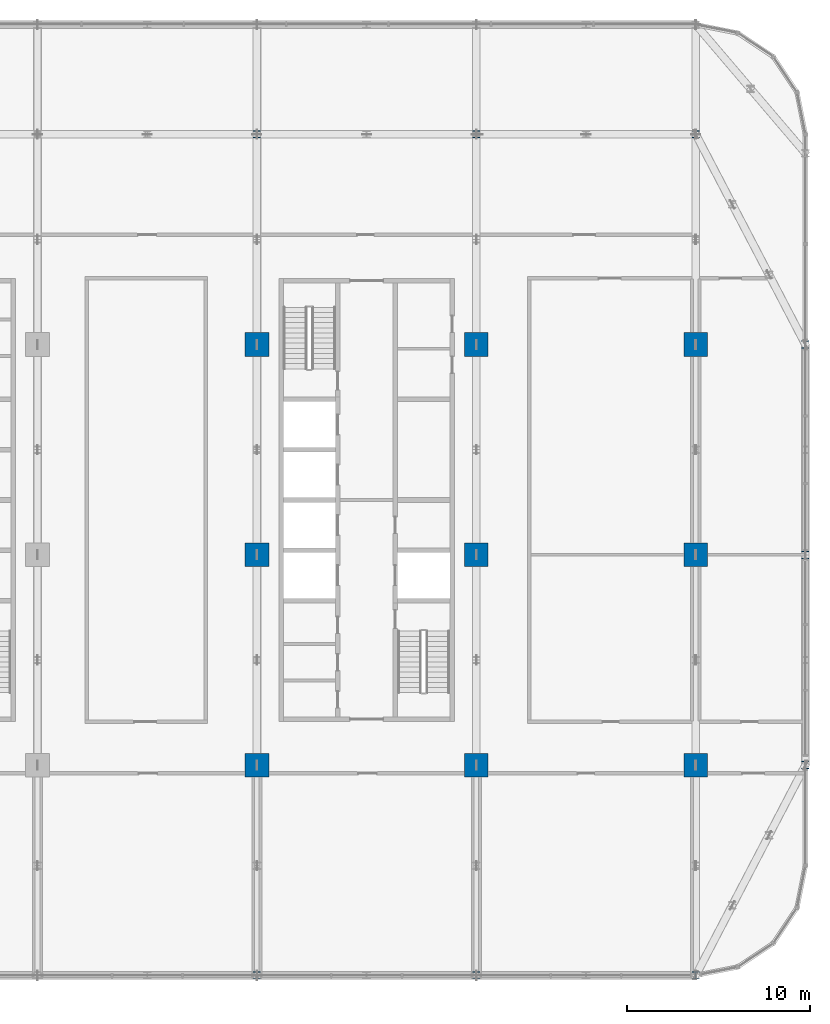
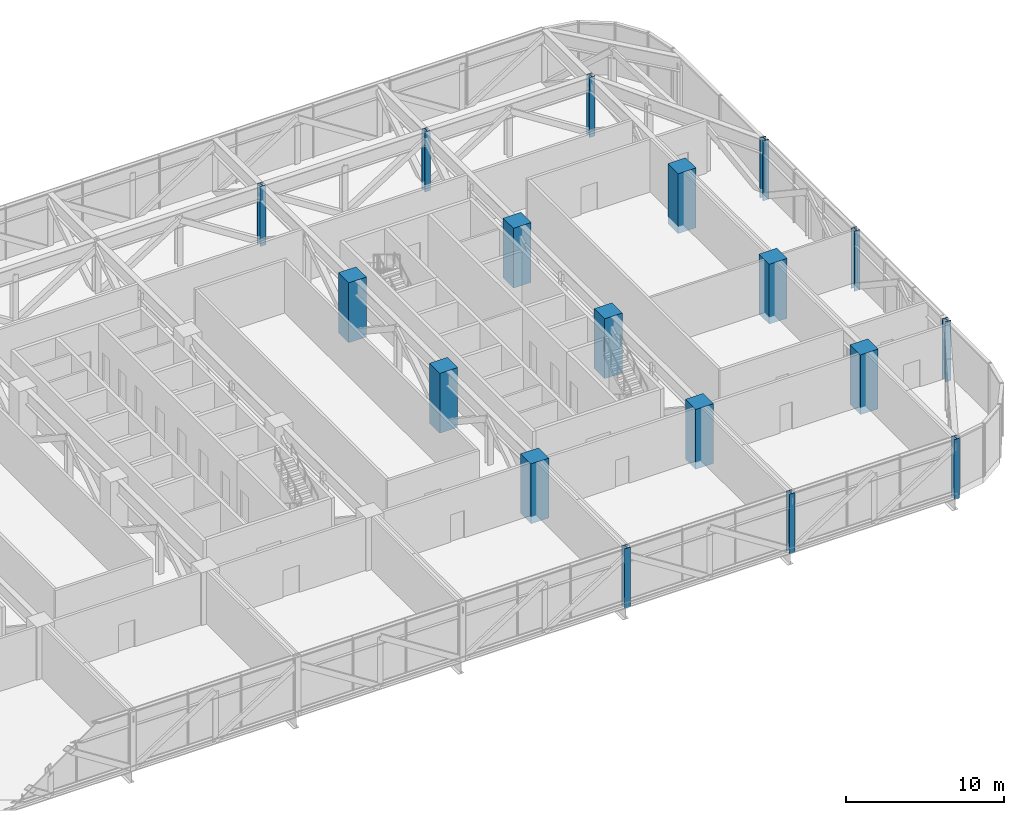
# One storey, part 2 of 30: 18 columns.
"""IFC4 building model written with IfcOpenShell, lengths in metres."""

from ifc_helpers import new_model, si_unit, direction, frame, origin, origin_2d, place, context, subcontext, project, spatial, rectangle, i_section, extrude, material, material_profile, profile_set, type_object, element, save


model = new_model("IFC4")

# Units and contexts
model_context = context("Model", 3, precision=1e-05, world=origin(), true_north=direction((0.0, 1.0)))
body_context = subcontext(model_context, "Body", "Model", "MODEL_VIEW")
ifc_project = project(units=[si_unit("LENGTHUNIT", "METRE"), si_unit("AREAUNIT", "SQUARE_METRE"), si_unit("VOLUMEUNIT", "CUBIC_METRE"), si_unit("PLANEANGLEUNIT", "RADIAN"), si_unit("MASSUNIT", "GRAM", prefix="KILO")], contexts=[model_context])

# Site, building, storey
site_placement = place(None, origin())
site = spatial("IfcSite", under=ifc_project, at=site_placement, CompositionType="ELEMENT")
building_placement = place(site_placement, origin())
building = spatial("IfcBuilding", under=site, at=building_placement, Name="Mahtab Terrace Research Tower", CompositionType="ELEMENT")
storey_placement = place(building_placement, frame((0.0, 0.0, 154.800048828125)))
storey = spatial("IfcBuildingStorey", under=building, at=storey_placement, Name="L36", CompositionType="ELEMENT", Elevation=154.800048828125)

# Columns
ifc_material_1 = material(Name="Concrete C70/85", Category="concrete")
ifc_material_profile_1 = material_profile(ifc_material_1, rectangle(XDim=1.300048828125, YDim=1.300048828125, at=origin_2d()), Name="RC column 1300x1300")
ifc_profile_set_1 = profile_set([ifc_material_profile_1], Name="Concrete C70/85")
column_type_1 = type_object("IfcColumnType", Name="RC column 1300x1300", PredefinedType="COLUMN", material=ifc_profile_set_1)
for number, where, z_axis, x_axis, name in (
    (1, (18.0, -11.5, -0.550048828125), (0.0, 0.0, 1.0), (1.0, 0.0, 0.0), "Column RC-6A L36"),
    (2, (18.0, 0.0, -0.550048828125), (0.0, 0.0, 1.0), (1.0, 0.0, 0.0), "Column RC-6B L36"),
    (3, (18.0, 11.5, -0.550048828125), (0.0, 0.0, 1.0), (1.0, 0.0, 0.0), "Column RC-6C L36"),
    (4, (30.0, -11.5, -0.550048828125), (0.0, 0.0, 1.0), (1.0, 0.0, 0.0), "Column RC-7A L36"),
    (5, (30.0, 0.0, -0.550048828125), (0.0, 0.0, 1.0), (1.0, 0.0, 0.0), "Column RC-7B L36"),
    (6, (30.0, 11.5, -0.550048828125), (0.0, 0.0, 1.0), (1.0, 0.0, 0.0), "Column RC-7C L36"),
    (7, (42.0, -11.5, -0.550048828125), (0.0, 0.0, 1.0), (1.0, 0.0, 0.0), "Column RC-8A L36"),
    (8, (42.0, 0.0, -0.550048828125), (0.0, 0.0, 1.0), (1.0, 0.0, 0.0), "Column RC-8B L36"),
    (9, (42.0, 11.5, -0.550048828125), (0.0, 0.0, 1.0), (1.0, 0.0, 0.0), "Column RC-8C L36"),
):
    element("IfcColumn", number, at=place(storey_placement, frame(where, z_axis=z_axis, x_axis=x_axis)), inside=storey, type_object=column_type_1, Name=name, PredefinedType="COLUMN", context=body_context, shape_type="SweptSolid", body=[
        extrude(rectangle(XDim=1.300048828125, YDim=1.300048828125, at=origin_2d()), origin(), (0.0, 0.0, 1.0), 4.610107421875),
    ])
ifc_material_2 = material(Name="Steel ASTM A992 Gr 50", Category="steel")
ifc_material_profile_2 = material_profile(ifc_material_2, i_section(OverallWidth=0.406494140625, OverallDepth=0.41650390625, WebThickness=0.030029296875, FlangeThickness=0.048095703125, at=origin_2d()), Name="W14X257")
ifc_profile_set_2 = profile_set([ifc_material_profile_2], Name="Steel ASTM A992 Gr 50")
column_type_2 = type_object("IfcColumnType", Name="W14x257 column CS14257", PredefinedType="COLUMN", material=ifc_profile_set_2)
for number, where, z_axis, x_axis, name in (
    (10, (42.0, 23.0, -0.550048828125), (0.0, 0.0, 1.0), (1.0, 0.0, 0.0), "Column SC-001 L36"),
    (11, (30.0, 23.0, -0.550048828125), (0.0, 0.0, 1.0), (1.0, 0.0, 0.0), "Column SC-002 L36"),
    (12, (18.0, 23.0, -0.550048828125), (0.0, 0.0, 1.0), (1.0, 0.0, 0.0), "Column SC-003 L36"),
    (13, (18.0, -23.0, -0.550048828125), (0.0, 0.0, 1.0), (1.0, 0.0, 0.0), "Column SC-017 L36"),
    (14, (30.0, -23.0, -0.550048828125), (0.0, 0.0, 1.0), (1.0, 0.0, 0.0), "Column SC-018 L36"),
    (15, (42.0, -23.0, -0.550048828125), (0.0, 0.0, 1.0), (1.0, 0.0, 0.0), "Column SC-019 L36"),
):
    element("IfcColumn", number, at=place(storey_placement, frame(where, z_axis=z_axis, x_axis=x_axis)), inside=storey, type_object=column_type_2, Name=name, PredefinedType="COLUMN", context=body_context, shape_type="SweptSolid", body=[
        extrude(i_section(OverallWidth=0.406494140625, OverallDepth=0.41650390625, WebThickness=0.030029296875, FlangeThickness=0.048095703125, at=origin_2d()), origin(), (0.0, 0.0, 1.0), 4.610107421875),
    ])
ifc_material_profile_3 = material_profile(ifc_material_2, i_section(OverallWidth=0.41162109375, OverallDepth=0.434326171875, WebThickness=0.035888671875, FlangeThickness=0.057373046875, at=origin_2d()), Name="W14X311")
ifc_profile_set_3 = profile_set([ifc_material_profile_3], Name="Steel ASTM A992 Gr 50")
column_type_3 = type_object("IfcColumnType", Name="W14x311 column CS14311", PredefinedType="COLUMN", material=ifc_profile_set_3)
for number, where, z_axis, x_axis, name in (
    (16, (48.0, -11.5, -0.550048828125), (0.0, 0.0, 1.0), (1.0, 0.0, 0.0), "Column SC-020 L36"),
    (17, (48.0, 0.0, -0.550048828125), (0.0, 0.0, 1.0), (1.0, 0.0, 0.0), "Column SC-021 L36"),
    (18, (48.0, 11.5, -0.550048828125), (0.0, 0.0, 1.0), (1.0, 0.0, 0.0), "Column SC-022 L36"),
):
    element("IfcColumn", number, at=place(storey_placement, frame(where, z_axis=z_axis, x_axis=x_axis)), inside=storey, type_object=column_type_3, Name=name, PredefinedType="COLUMN", context=body_context, shape_type="SweptSolid", body=[
        extrude(i_section(OverallWidth=0.41162109375, OverallDepth=0.434326171875, WebThickness=0.035888671875, FlangeThickness=0.057373046875, at=origin_2d()), origin(), (0.0, 0.0, 1.0), 4.610107421875),
    ])

save(model, "model.ifc")
